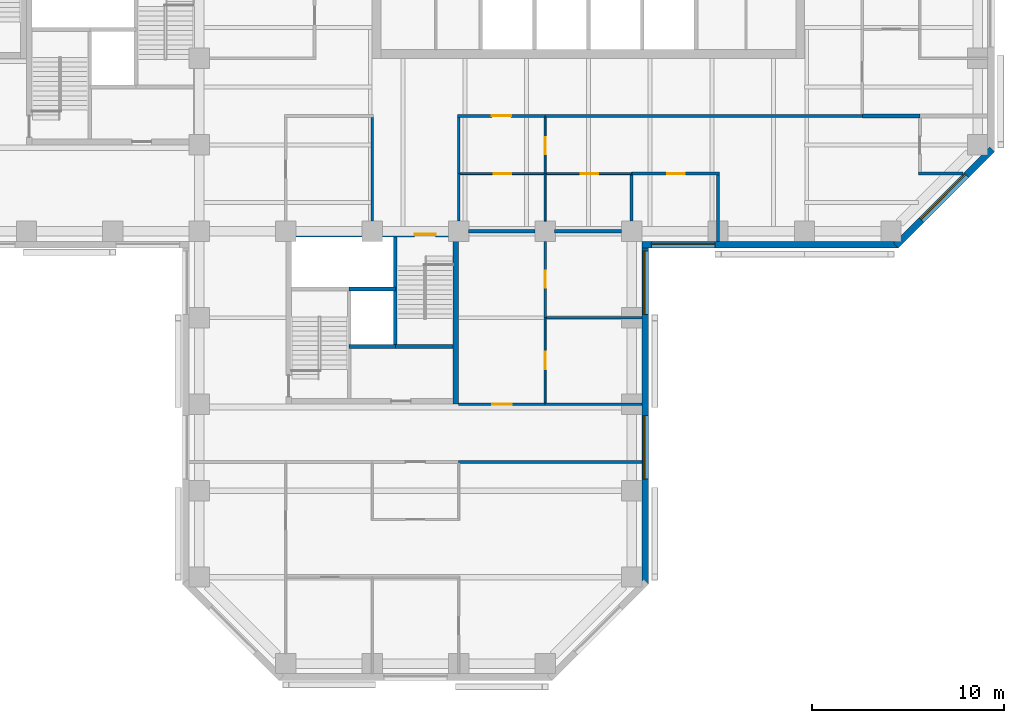
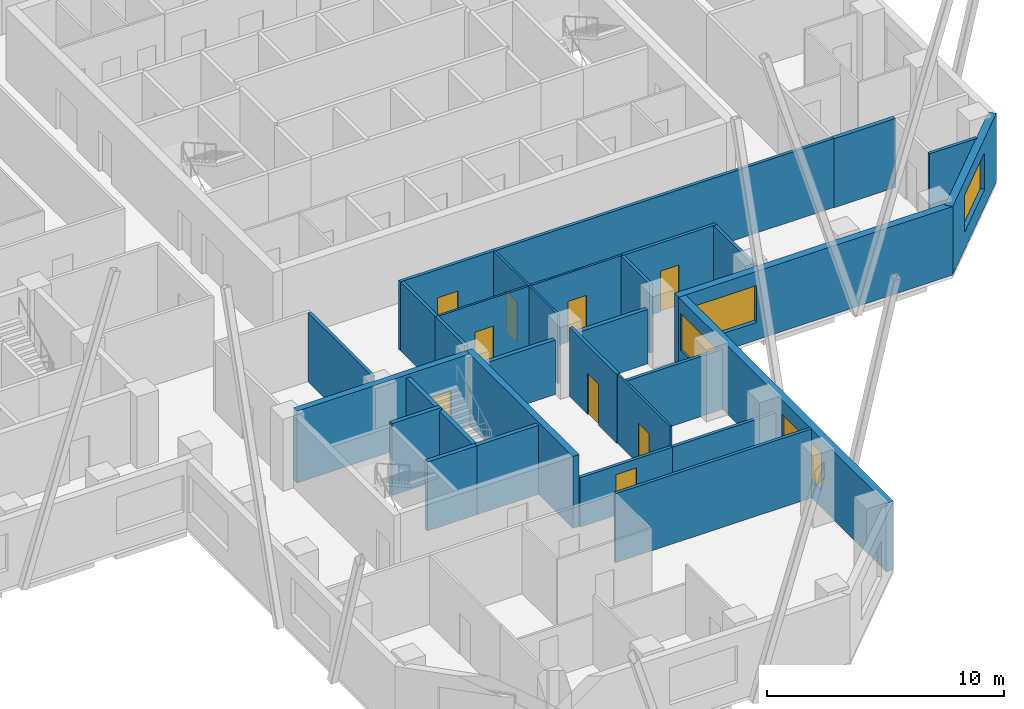
# One storey, part 4 of 11: 31 walls, 9 doors, 4 windows, 13 openings.
"""IFC4 building model written with IfcOpenShell, lengths in metres."""

from ifc_helpers import new_model, si_unit, direction, frame, frame_2d, origin, place, context, subcontext, project, spatial, rectangle, extrude, material, layer, layer_set, constituent, constituent_set, type_object, element, fill, save


model = new_model("IFC4")

# Units and contexts
model_context = context("Model", 3, precision=1e-05, world=origin(), true_north=direction((0.0, 1.0)))
body_context = subcontext(model_context, "Body", "Model", "MODEL_VIEW")
ifc_project = project(units=[si_unit("LENGTHUNIT", "METRE"), si_unit("AREAUNIT", "SQUARE_METRE"), si_unit("VOLUMEUNIT", "CUBIC_METRE"), si_unit("PLANEANGLEUNIT", "RADIAN"), si_unit("MASSUNIT", "GRAM", prefix="KILO")], contexts=[model_context])

# Site, building, storey
site_placement = place(None, origin())
site = spatial("IfcSite", under=ifc_project, at=site_placement, CompositionType="ELEMENT")
building_placement = place(site_placement, origin())
building = spatial("IfcBuilding", under=site, at=building_placement, Name="Quoin Convention Tower", CompositionType="ELEMENT")
storey_placement = place(building_placement, frame((0.0, 0.0, 112.199951171875)))
storey = spatial("IfcBuildingStorey", under=building, at=storey_placement, Name="L29", CompositionType="ELEMENT", Elevation=112.199951171875)

# Wall, opening, door
ifc_material_1 = material(Name="Plasterboard")
ifc_layer_1 = layer(ifc_material_1, 0.012451171875, Name="Finish")
ifc_material_2 = material(Name="Steel stud framing", Category="steel")
ifc_layer_2 = layer(ifc_material_2, 0.125, Name="Structure")
ifc_layer_3 = layer(ifc_material_1, 0.012451171875, Name="Finish")
ifc_layer_set_1 = layer_set([ifc_layer_1, ifc_layer_2, ifc_layer_3], Name="Steel stud framing")
wall_type_1 = type_object("IfcWallType", Name="Acoustic partition 150", PredefinedType="PARTITIONING", material=ifc_layer_set_1)
wall_1_placement = place(storey_placement, frame((58.5, 43.5, 0.0), z_axis=(0.0, 0.0, 1.0), x_axis=(1.0, 0.0, 0.0)))
wall_1 = element("IfcWall", 1, at=wall_1_placement, inside=storey, type_object=wall_type_1, Name="pw-L29-015", PredefinedType="PARTITIONING", context=body_context, shape_type="SweptSolid", body=[
    extrude(rectangle(XDim=4.574951171875, YDim=0.14990234375, at=frame_2d((2.28759765625, 0.0))), origin(), (0.0, 0.0, 1.0), 3.550048828125),
])
opening_1_placement = place(wall_1_placement, frame((1.85009765625, 0.0, 0.0)))
opening_1 = element("IfcOpeningElement", 2, at=opening_1_placement, cuts=wall_1, Name="Opening DOL5-07", PredefinedType="OPENING", context=body_context, shape_type="SweptSolid", body=[
    extrude(rectangle(XDim=0.89990234375, YDim=2.10009765625, at=frame_2d((0.449951171875, 1.050048828125))), frame((0.0, 0.0849609375, 0.0), z_axis=(0.0, -1.0, 0.0), x_axis=(1.0, 0.0, 0.0)), (0.0, 0.0, 1.0), 0.169921875),
])
ifc_material_3 = material(Name="Steel door leaf", Category="steel")
door_type_1 = type_object("IfcDoorType", Name="Office door 900 x 2100", OperationType="SINGLE_SWING_RIGHT", PredefinedType="DOOR", material=ifc_material_3)
door_1_placement = place(opening_1_placement, origin())
door_1 = element("IfcDoor", 3, at=door_1_placement, inside=storey, type_object=door_type_1, Name="dr-L29-27", OperationType="SINGLE_SWING_RIGHT", OverallHeight=2.10009765625, OverallWidth=0.89990234375, PredefinedType="DOOR", context=body_context, shape_type="SweptSolid", body=[
    extrude(rectangle(XDim=0.89990234375, YDim=2.10009765625, at=frame_2d((0.449951171875, 1.050048828125))), frame((0.0, 0.02490234375, 0.0), z_axis=(0.0, -1.0, 0.0), x_axis=(1.0, 0.0, 0.0)), (0.0, 0.0, 1.0), 0.050048828125),
])
fill(opening_1, door_1)

wall_2_placement = place(storey_placement, frame((54.0, 36.0, 0.0), z_axis=(0.0, 0.0, 1.0), x_axis=(0.0, 1.0, 0.0)))
wall_2 = element("IfcWall", 4, at=wall_2_placement, inside=storey, type_object=wall_type_1, Name="pw-L29-070", PredefinedType="PARTITIONING", context=body_context, shape_type="SweptSolid", body=[
    extrude(rectangle(XDim=3.97509765625, YDim=0.14990234375, at=frame_2d((1.987548828125, 0.0))), origin(), (0.0, 0.0, 1.0), 3.550048828125),
])
opening_2_placement = place(wall_2_placement, frame((1.550048828125, 0.0, 0.0)))
opening_2 = element("IfcOpeningElement", 5, at=opening_2_placement, cuts=wall_2, Name="Opening DOL5-27", PredefinedType="OPENING", context=body_context, shape_type="SweptSolid", body=[
    extrude(rectangle(XDim=0.89990234375, YDim=2.10009765625, at=frame_2d((0.449951171875, 1.050048828125))), frame((0.0, 0.0849609375, 0.0), z_axis=(0.0, -1.0, 0.0), x_axis=(1.0, 0.0, 0.0)), (0.0, 0.0, 1.0), 0.169921875),
])
door_2_placement = place(opening_2_placement, origin())
door_2 = element("IfcDoor", 6, at=door_2_placement, inside=storey, type_object=door_type_1, Name="dr-L29-21", OperationType="SINGLE_SWING_RIGHT", OverallHeight=2.10009765625, OverallWidth=0.89990234375, PredefinedType="DOOR", context=body_context, shape_type="SweptSolid", body=[
    extrude(rectangle(XDim=0.89990234375, YDim=2.10009765625, at=frame_2d((0.449951171875, 1.050048828125))), frame((0.0, 0.02490234375, 0.0), z_axis=(0.0, -1.0, 0.0), x_axis=(1.0, 0.0, 0.0)), (0.0, 0.0, 1.0), 0.050048828125),
])
fill(opening_2, door_2)

# Walls
wall_3_placement = place(storey_placement, frame((63.0, 39.97509765625, 0.0), z_axis=(0.0, 0.0, 1.0), x_axis=(0.0, 1.0, 0.0)))
element("IfcWall", 7, at=wall_3_placement, inside=storey, type_object=wall_type_1, Name="pw-L29-072", PredefinedType="PARTITIONING", context=body_context, shape_type="SweptSolid", body=[
    extrude(rectangle(XDim=3.449951171875, YDim=0.14990234375, at=frame_2d((1.72509765625, 0.0))), origin(), (0.0, 0.0, 1.0), 3.550048828125),
])
wall_4_placement = place(storey_placement, frame((58.5, 41.02490234375, 0.0), z_axis=(0.0, 0.0, 1.0), x_axis=(0.0, 1.0, 0.0)))
element("IfcWall", 8, at=wall_4_placement, inside=storey, type_object=wall_type_1, Name="pw-L29-077", PredefinedType="PARTITIONING", context=body_context, shape_type="SweptSolid", body=[
    extrude(rectangle(XDim=2.400146484375, YDim=0.14990234375, at=frame_2d((1.2001953125, 0.0))), origin(), (0.0, 0.0, 1.0), 3.550048828125),
])
ifc_layer_4 = layer(ifc_material_1, 0.012451171875, Name="Finish")
ifc_layer_5 = layer(ifc_material_2, 0.125, Name="Structure")
ifc_layer_6 = layer(ifc_material_1, 0.012451171875, Name="Finish")
ifc_layer_set_2 = layer_set([ifc_layer_4, ifc_layer_5, ifc_layer_6], Name="Steel stud framing")
wall_type_2 = type_object("IfcWallType", Name="Acoustic partition 150 under beam 454", PredefinedType="PARTITIONING", material=ifc_layer_set_2)
wall_5_placement = place(storey_placement, frame((54.074951171875, 36.0, 0.0), z_axis=(0.0, 0.0, 1.0), x_axis=(1.0, 0.0, 0.0)))
element("IfcWall", 9, at=wall_5_placement, inside=storey, type_object=wall_type_2, Name="pw-L29-010", PredefinedType="PARTITIONING", context=body_context, shape_type="SweptSolid", body=[
    extrude(rectangle(XDim=4.949951171875, YDim=0.14990234375, at=frame_2d((2.47509765625, 0.0))), origin(), (0.0, 0.0, 1.0), 3.095947265625),
])

# Wall, opening, window
ifc_material_4 = material(Name="Brick masonry", Category="masonry")
ifc_layer_7 = layer(ifc_material_4, 0.35009765625)
ifc_layer_set_3 = layer_set([ifc_layer_7], Name="Brick masonry")
wall_type_3 = type_object("IfcWallType", Name="Brick facade wall", PredefinedType="STANDARD", material=ifc_layer_set_3)
wall_6_placement = place(storey_placement, frame((59.02490234375, 39.800048828125, 0.0), z_axis=(0.0, 0.0, 1.0), x_axis=(1.0, 0.0, 0.0)))
wall_6 = element("IfcWall", 10, at=wall_6_placement, inside=storey, type_object=wall_type_3, Name="fw-L29-58500_40500", PredefinedType="STANDARD", context=body_context, shape_type="SweptSolid", body=[
    extrude(rectangle(XDim=13.33740234375, YDim=0.35009765625, at=frame_2d((6.668701171875, 0.0))), origin(), (0.0, 0.0, 1.0), 3.525146484375),
])
opening_3_placement = place(wall_6_placement, frame((0.5, 0.0, 0.89990234375)))
opening_3 = element("IfcOpeningElement", 11, at=opening_3_placement, cuts=wall_6, Name="Opening W-02", PredefinedType="OPENING", context=body_context, shape_type="SweptSolid", body=[
    extrude(rectangle(XDim=3.300048828125, YDim=1.89990234375, at=frame_2d((1.64990234375, 0.949951171875))), frame((0.0, 0.18505859375, 0.0), z_axis=(0.0, -1.0, 0.0), x_axis=(1.0, 0.0, 0.0)), (0.0, 0.0, 1.0), 0.3701171875),
])
ifc_material_5 = material(Name="Aluminium", Category="aluminium")
ifc_constituent_1 = constituent(ifc_material_5, Name="Frame")
ifc_material_6 = material(Name="Insulated glass", Category="glass")
ifc_constituent_2 = constituent(ifc_material_6, Name="Glazing")
ifc_constituent_set = constituent_set(constituents=[ifc_constituent_1, ifc_constituent_2], Name="Aluminium")
window_type = type_object("IfcWindowType", Name="Office window", PartitioningType="DOUBLE_PANEL_VERTICAL", PredefinedType="WINDOW", material=ifc_constituent_set)
window_1_placement = place(opening_3_placement, origin())
window_1 = element("IfcWindow", 12, at=window_1_placement, inside=storey, type_object=window_type, Name="win-L29-60750_39800", OverallHeight=1.89990234375, OverallWidth=3.300048828125, PartitioningType="SINGLE_PANEL", PredefinedType="WINDOW", context=body_context, shape_type="SweptSolid", body=[
    extrude(rectangle(XDim=3.300048828125, YDim=1.89990234375, at=frame_2d((1.64990234375, 0.949951171875))), frame((0.0, 0.0849609375, 0.0), z_axis=(0.0, -1.0, 0.0), x_axis=(1.0, 0.0, 0.0)), (0.0, 0.0, 1.0), 0.06005859375),
])
fill(opening_3, window_1)

wall_7_placement = place(storey_placement, frame((72.23876953125, 39.748779296875, 0.0), z_axis=(0.0, 0.0, 1.0), x_axis=(0.707106781187, 0.707106781187, 0.0)))
wall_7 = element("IfcWall", 13, at=wall_7_placement, inside=storey, type_object=wall_type_3, Name="fw-L29-72000_40500", PredefinedType="STANDARD", context=body_context, shape_type="SweptSolid", body=[
    extrude(rectangle(XDim=7.088623046875, YDim=0.35009765625, at=frame_2d((3.54443359375, 0.0))), origin(), (0.0, 0.0, 1.0), 3.525146484375),
])
opening_4_placement = place(wall_7_placement, frame((1.894287109375, 0.0, 0.89990234375)))
opening_4 = element("IfcOpeningElement", 14, at=opening_4_placement, cuts=wall_7, Name="Opening W-02", PredefinedType="OPENING", context=body_context, shape_type="SweptSolid", body=[
    extrude(rectangle(XDim=3.300048828125, YDim=1.89990234375, at=frame_2d((1.64990234375, 0.949951171875))), frame((0.0, 0.18505859375, 0.0), z_axis=(0.0, -1.0, 0.0), x_axis=(1.0, 0.0, 0.0)), (0.0, 0.0, 1.0), 0.3701171875),
])
window_2_placement = place(opening_4_placement, origin())
window_2 = element("IfcWindow", 15, at=window_2_placement, inside=storey, type_object=window_type, Name="win-L29-74745_42255", OverallHeight=1.89990234375, OverallWidth=3.300048828125, PartitioningType="SINGLE_PANEL", PredefinedType="WINDOW", context=body_context, shape_type="SweptSolid", body=[
    extrude(rectangle(XDim=3.300048828125, YDim=1.89990234375, at=frame_2d((1.64990234375, 0.949951171875))), frame((0.0, 0.0849609375, 0.0), z_axis=(0.0, -1.0, 0.0), x_axis=(1.0, 0.0, 0.0)), (0.0, 0.0, 1.0), 0.06005859375),
])
fill(opening_4, window_2)

# Wall, openings, windows
wall_8_placement = place(storey_placement, frame((59.199951171875, 22.1376953125, 0.0), z_axis=(0.0, 0.0, 1.0), x_axis=(0.0, 1.0, 0.0)))
wall_8 = element("IfcWall", 16, at=wall_8_placement, inside=storey, type_object=wall_type_3, Name="fw-L29-58500_22500", PredefinedType="STANDARD", context=body_context, shape_type="SweptSolid", body=[
    extrude(rectangle(XDim=17.83740234375, YDim=0.35009765625, at=frame_2d((8.918701171875, 0.0))), origin(), (0.0, 0.0, 1.0), 3.525146484375),
])
opening_5_placement = place(wall_8_placement, frame((5.46240234375, 0.0, 0.89990234375)))
opening_5 = element("IfcOpeningElement", 17, at=opening_5_placement, cuts=wall_8, Name="Opening W-02", PredefinedType="OPENING", context=body_context, shape_type="SweptSolid", body=[
    extrude(rectangle(XDim=3.300048828125, YDim=1.89990234375, at=frame_2d((1.64990234375, 0.949951171875))), frame((0.0, 0.18505859375, 0.0), z_axis=(0.0, -1.0, 0.0), x_axis=(1.0, 0.0, 0.0)), (0.0, 0.0, 1.0), 0.3701171875),
])
opening_6_placement = place(wall_8_placement, frame((14.037353515625, 0.0, 0.89990234375)))
opening_6 = element("IfcOpeningElement", 18, at=opening_6_placement, cuts=wall_8, Name="Opening W-02", PredefinedType="OPENING", context=body_context, shape_type="SweptSolid", body=[
    extrude(rectangle(XDim=3.300048828125, YDim=1.89990234375, at=frame_2d((1.64990234375, 0.949951171875))), frame((0.0, 0.18505859375, 0.0), z_axis=(0.0, -1.0, 0.0), x_axis=(1.0, 0.0, 0.0)), (0.0, 0.0, 1.0), 0.3701171875),
])
window_3_placement = place(opening_5_placement, origin())
window_3 = element("IfcWindow", 19, at=window_3_placement, inside=storey, type_object=window_type, Name="win-L29-59200_29250", OverallHeight=1.89990234375, OverallWidth=3.300048828125, PartitioningType="SINGLE_PANEL", PredefinedType="WINDOW", context=body_context, shape_type="SweptSolid", body=[
    extrude(rectangle(XDim=3.300048828125, YDim=1.89990234375, at=frame_2d((1.64990234375, 0.949951171875))), frame((0.0, 0.0849609375, 0.0), z_axis=(0.0, -1.0, 0.0), x_axis=(1.0, 0.0, 0.0)), (0.0, 0.0, 1.0), 0.06005859375),
])
fill(opening_5, window_3)
window_4_placement = place(opening_6_placement, origin())
window_4 = element("IfcWindow", 20, at=window_4_placement, inside=storey, type_object=window_type, Name="win-L29-59200_38250", OverallHeight=1.89990234375, OverallWidth=3.300048828125, PartitioningType="SINGLE_PANEL", PredefinedType="WINDOW", context=body_context, shape_type="SweptSolid", body=[
    extrude(rectangle(XDim=3.300048828125, YDim=1.89990234375, at=frame_2d((1.64990234375, 0.949951171875))), frame((0.0, 0.0849609375, 0.0), z_axis=(0.0, -1.0, 0.0), x_axis=(1.0, 0.0, 0.0)), (0.0, 0.0, 1.0), 0.06005859375),
])
fill(opening_6, window_4)

# Walls
ifc_material_7 = material(Name="Concrete C50", Category="concrete")
ifc_layer_8 = layer(ifc_material_7, 0.199951171875)
ifc_layer_set_4 = layer_set([ifc_layer_8], Name="Concrete C50")
wall_type_4 = type_object("IfcWallType", Name="Core shaft wall", PredefinedType="SOLIDWALL", material=ifc_layer_set_4)
wall_9_placement = place(storey_placement, frame((43.800048828125, 34.5, 0.0), z_axis=(0.0, 0.0, 1.0), x_axis=(1.0, 0.0, 0.0)))
element("IfcWall", 21, at=wall_9_placement, inside=storey, type_object=wall_type_4, Name="cr-P3-L29-h3000_3300", PredefinedType="SOLIDWALL", context=body_context, shape_type="SweptSolid", body=[
    extrude(rectangle(XDim=2.39990234375, YDim=0.199951171875, at=frame_2d((1.199951171875, 0.0))), origin(), (0.0, 0.0, 1.0), 3.550048828125),
])
wall_10_placement = place(storey_placement, frame((46.199951171875, 34.5, 0.0), z_axis=(0.0, 0.0, 1.0), x_axis=(1.0, 0.0, 0.0)))
element("IfcWall", 22, at=wall_10_placement, inside=storey, type_object=wall_type_4, Name="cr-P3-L29-h3000_5700", PredefinedType="SOLIDWALL", context=body_context, shape_type="SweptSolid", body=[
    extrude(rectangle(XDim=3.0, YDim=0.199951171875, at=frame_2d((1.5, 0.0))), origin(), (0.0, 0.0, 1.0), 3.550048828125),
])
wall_11_placement = place(storey_placement, frame((46.199951171875, 34.5, 0.0), z_axis=(0.0, 0.0, 1.0), x_axis=(0.0, 1.0, 0.0)))
element("IfcWall", 23, at=wall_11_placement, inside=storey, type_object=wall_type_4, Name="cr-P3-L29-v5700_3000", PredefinedType="SOLIDWALL", context=body_context, shape_type="SweptSolid", body=[
    extrude(rectangle(XDim=5.699951171875, YDim=0.199951171875, at=frame_2d((2.85009765625, 0.0))), origin(), (0.0, 0.0, 1.0), 3.550048828125),
])
ifc_layer_9 = layer(ifc_material_7, 0.199951171875)
ifc_layer_set_5 = layer_set([ifc_layer_9], Name="Concrete C50")
wall_type_5 = type_object("IfcWallType", Name="Core shaft wall to the floor level over", PredefinedType="SOLIDWALL", material=ifc_layer_set_5)
wall_12_placement = place(storey_placement, frame((43.800048828125, 37.5, 0.0), z_axis=(0.0, 0.0, 1.0), x_axis=(1.0, 0.0, 0.0)))
element("IfcWall", 24, at=wall_12_placement, inside=storey, type_object=wall_type_5, Name="cr-P3-L29-h6000_3300", PredefinedType="SOLIDWALL", context=body_context, shape_type="SweptSolid", body=[
    extrude(rectangle(XDim=2.39990234375, YDim=0.199951171875, at=frame_2d((1.199951171875, 0.0))), origin(), (0.0, 0.0, 1.0), 3.699951171875),
])
ifc_layer_10 = layer(ifc_material_1, 0.012451171875, Name="Finish")
ifc_layer_11 = layer(ifc_material_2, 0.125, Name="Structure")
ifc_layer_12 = layer(ifc_material_1, 0.012451171875, Name="Finish")
ifc_layer_set_6 = layer_set([ifc_layer_10, ifc_layer_11, ifc_layer_12], Name="Steel stud framing")
wall_type_6 = type_object("IfcWallType", Name="Corridor wall 150", PredefinedType="PARTITIONING", material=ifc_layer_set_6)
wall_13_placement = place(storey_placement, frame((49.5, 28.5, 0.0), z_axis=(0.0, 0.0, 1.0), x_axis=(1.0, 0.0, 0.0)))
element("IfcWall", 25, at=wall_13_placement, inside=storey, type_object=wall_type_6, Name="pw-L29-007", PredefinedType="PARTITIONING", context=body_context, shape_type="SweptSolid", body=[
    extrude(rectangle(XDim=9.52490234375, YDim=0.14990234375, at=frame_2d((4.762451171875, 0.0))), origin(), (0.0, 0.0, 1.0), 3.550048828125),
])

# Wall, opening, door
wall_14_placement = place(storey_placement, frame((49.425048828125, 46.5, 0.0), z_axis=(0.0, 0.0, 1.0), x_axis=(1.0, 0.0, 0.0)))
wall_14 = element("IfcWall", 26, at=wall_14_placement, inside=storey, type_object=wall_type_6, Name="pw-L29-021", PredefinedType="PARTITIONING", context=body_context, shape_type="SweptSolid", body=[
    extrude(rectangle(XDim=4.574951171875, YDim=0.14990234375, at=frame_2d((2.28759765625, 0.0))), origin(), (0.0, 0.0, 1.0), 3.550048828125),
])
opening_7_placement = place(wall_14_placement, frame((1.800048828125, 0.0, 0.0)))
opening_7 = element("IfcOpeningElement", 27, at=opening_7_placement, cuts=wall_14, Name="Opening DOL5-08", PredefinedType="OPENING", context=body_context, shape_type="SweptSolid", body=[
    extrude(rectangle(XDim=1.0, YDim=2.10009765625, at=frame_2d((0.5, 1.050048828125))), frame((0.0, 0.0849609375, 0.0), z_axis=(0.0, -1.0, 0.0), x_axis=(1.0, 0.0, 0.0)), (0.0, 0.0, 1.0), 0.169921875),
])
door_type_2 = type_object("IfcDoorType", Name="Tenancy entrance door 1000 x 2100", OperationType="DOUBLE_DOOR_SINGLE_SWING", PredefinedType="DOOR", material=ifc_material_3)
door_3_placement = place(opening_7_placement, frame((1.0, 0.0, 0.0), z_axis=(0.0, 0.0, 1.0), x_axis=(-1.0, 0.0, 0.0)))
door_3 = element("IfcDoor", 28, at=door_3_placement, inside=storey, type_object=door_type_2, Name="dr-L29-22", OperationType="DOUBLE_DOOR_SINGLE_SWING", OverallHeight=2.10009765625, OverallWidth=1.0, PredefinedType="DOOR", context=body_context, shape_type="SweptSolid", body=[
    extrude(rectangle(XDim=1.0, YDim=2.10009765625, at=frame_2d((0.5, 1.050048828125))), frame((0.0, 0.02490234375, 0.0), z_axis=(0.0, -1.0, 0.0), x_axis=(1.0, 0.0, 0.0)), (0.0, 0.0, 1.0), 0.050048828125),
])
fill(opening_7, door_3)

# Walls
wall_15_placement = place(storey_placement, frame((54.0, 46.5, 0.0), z_axis=(0.0, 0.0, 1.0), x_axis=(1.0, 0.0, 0.0)))
element("IfcWall", 29, at=wall_15_placement, inside=storey, type_object=wall_type_6, Name="pw-L29-022", PredefinedType="PARTITIONING", context=body_context, shape_type="SweptSolid", body=[
    extrude(rectangle(XDim=16.5, YDim=0.14990234375, at=frame_2d((8.25, 0.0))), origin(), (0.0, 0.0, 1.0), 3.550048828125),
])
wall_16_placement = place(storey_placement, frame((45.0, 41.02490234375, 0.0), z_axis=(0.0, 0.0, 1.0), x_axis=(0.0, 1.0, 0.0)))
element("IfcWall", 30, at=wall_16_placement, inside=storey, type_object=wall_type_6, Name="pw-L29-074", PredefinedType="PARTITIONING", context=body_context, shape_type="SweptSolid", body=[
    extrude(rectangle(XDim=5.400146484375, YDim=0.14990234375, at=frame_2d((2.7001953125, 0.0))), origin(), (0.0, 0.0, 1.0), 3.550048828125),
])
wall_17_placement = place(storey_placement, frame((49.5, 41.02490234375, 0.0), z_axis=(0.0, 0.0, 1.0), x_axis=(0.0, 1.0, 0.0)))
element("IfcWall", 31, at=wall_17_placement, inside=storey, type_object=wall_type_6, Name="pw-L29-075", PredefinedType="PARTITIONING", context=body_context, shape_type="SweptSolid", body=[
    extrude(rectangle(XDim=2.47509765625, YDim=0.14990234375, at=frame_2d((1.237548828125, 0.0))), origin(), (0.0, 0.0, 1.0), 3.550048828125),
])
wall_18_placement = place(storey_placement, frame((49.5, 43.5, 0.0), z_axis=(0.0, 0.0, 1.0), x_axis=(0.0, 1.0, 0.0)))
element("IfcWall", 32, at=wall_18_placement, inside=storey, type_object=wall_type_6, Name="pw-L29-078", PredefinedType="PARTITIONING", context=body_context, shape_type="SweptSolid", body=[
    extrude(rectangle(XDim=2.925048828125, YDim=0.14990234375, at=frame_2d((1.46240234375, 0.0))), origin(), (0.0, 0.0, 1.0), 3.550048828125),
])

# Wall, opening, door
ifc_layer_13 = layer(ifc_material_1, 0.012451171875, Name="Finish")
ifc_layer_14 = layer(ifc_material_2, 0.125, Name="Structure")
ifc_layer_15 = layer(ifc_material_1, 0.012451171875, Name="Finish")
ifc_layer_set_7 = layer_set([ifc_layer_13, ifc_layer_14, ifc_layer_15], Name="Steel stud framing")
wall_type_7 = type_object("IfcWallType", Name="Corridor wall 150 under beam 1000", PredefinedType="PARTITIONING", material=ifc_layer_set_7)
wall_19_placement = place(storey_placement, frame((49.5, 31.5, 0.0), z_axis=(0.0, 0.0, 1.0), x_axis=(1.0, 0.0, 0.0)))
wall_19 = element("IfcWall", 33, at=wall_19_placement, inside=storey, type_object=wall_type_7, Name="pw-L29-008", PredefinedType="PARTITIONING", context=body_context, shape_type="SweptSolid", body=[
    extrude(rectangle(XDim=4.5, YDim=0.14990234375, at=frame_2d((2.25, 0.0))), origin(), (0.0, 0.0, 1.0), 2.550048828125),
])
opening_8_placement = place(wall_19_placement, frame((1.75, 0.0, 0.0)))
opening_8 = element("IfcOpeningElement", 34, at=opening_8_placement, cuts=wall_19, Name="Opening DOL5-04", PredefinedType="OPENING", context=body_context, shape_type="SweptSolid", body=[
    extrude(rectangle(XDim=1.0, YDim=2.10009765625, at=frame_2d((0.5, 1.050048828125))), frame((0.0, 0.0849609375, 0.0), z_axis=(0.0, -1.0, 0.0), x_axis=(1.0, 0.0, 0.0)), (0.0, 0.0, 1.0), 0.169921875),
])
door_4_placement = place(opening_8_placement, origin())
door_4 = element("IfcDoor", 35, at=door_4_placement, inside=storey, type_object=door_type_2, Name="dr-L29-19", OperationType="DOUBLE_DOOR_SINGLE_SWING", OverallHeight=2.10009765625, OverallWidth=1.0, PredefinedType="DOOR", context=body_context, shape_type="SweptSolid", body=[
    extrude(rectangle(XDim=1.0, YDim=2.10009765625, at=frame_2d((0.5, 1.050048828125))), frame((0.0, 0.02490234375, 0.0), z_axis=(0.0, -1.0, 0.0), x_axis=(1.0, 0.0, 0.0)), (0.0, 0.0, 1.0), 0.050048828125),
])
fill(opening_8, door_4)

# Wall
wall_20_placement = place(storey_placement, frame((54.0, 31.5, 0.0), z_axis=(0.0, 0.0, 1.0), x_axis=(1.0, 0.0, 0.0)))
element("IfcWall", 36, at=wall_20_placement, inside=storey, type_object=wall_type_7, Name="pw-L29-009", PredefinedType="PARTITIONING", context=body_context, shape_type="SweptSolid", body=[
    extrude(rectangle(XDim=5.02490234375, YDim=0.14990234375, at=frame_2d((2.512451171875, 0.0))), origin(), (0.0, 0.0, 1.0), 2.550048828125),
])

# Wall, opening, door
ifc_material_8 = material(Name="Concrete C65", Category="concrete")
ifc_layer_16 = layer(ifc_material_8, 0.300048828125)
ifc_layer_set_8 = layer_set([ifc_layer_16], Name="Concrete C65")
wall_type_8 = type_object("IfcWallType", Name="RC CORE WALL 300 C65", PredefinedType="SHEAR", material=ifc_layer_set_8)
wall_21_placement = place(storey_placement, frame((40.800048828125, 40.35009765625, 0.0), z_axis=(0.0, 0.0, 1.0), x_axis=(1.0, 0.0, 0.0)))
wall_21 = element("IfcWall", 37, at=wall_21_placement, inside=storey, type_object=wall_type_8, Name="cwl-P3-L29-N", PredefinedType="SHEAR", context=body_context, shape_type="SweptSolid", body=[
    extrude(rectangle(XDim=8.39990234375, YDim=0.300048828125, at=frame_2d((4.199951171875, 0.0))), origin(), (0.0, 0.0, 1.0), 3.699951171875),
])
opening_9_placement = place(wall_21_placement, frame((6.39990234375, 0.0, 0.0)))
opening_9 = element("IfcOpeningElement", 38, at=opening_9_placement, cuts=wall_21, Name="Opening SD6", PredefinedType="OPENING", context=body_context, shape_type="SweptSolid", body=[
    extrude(rectangle(XDim=1.10009765625, YDim=2.10009765625, at=frame_2d((0.550048828125, 1.050048828125))), frame((0.0, 0.159912109375, 0.0), z_axis=(0.0, -1.0, 0.0), x_axis=(1.0, 0.0, 0.0)), (0.0, 0.0, 1.0), 0.320068359375),
])
door_type_3 = type_object("IfcDoorType", Name="Stair door 1100 x 2100", OperationType="SINGLE_SWING_RIGHT", PredefinedType="DOOR", material=ifc_material_3)
door_5_placement = place(opening_9_placement, frame((1.10009765625, 0.0, 0.0), z_axis=(0.0, 0.0, 1.0), x_axis=(-1.0, 0.0, 0.0)))
door_5 = element("IfcDoor", 39, at=door_5_placement, inside=storey, type_object=door_type_3, Name="cd-P3-L29-SB-N", OperationType="SINGLE_SWING_LEFT", OverallHeight=2.10009765625, OverallWidth=1.10009765625, PredefinedType="DOOR", context=body_context, shape_type="SweptSolid", body=[
    extrude(rectangle(XDim=1.10009765625, YDim=2.10009765625, at=frame_2d((0.550048828125, 1.050048828125))), frame((0.0, 0.02490234375, 0.0), z_axis=(0.0, -1.0, 0.0), x_axis=(1.0, 0.0, 0.0)), (0.0, 0.0, 1.0), 0.050048828125),
])
fill(opening_9, door_5)

# Wall
wall_22_placement = place(storey_placement, frame((49.35009765625, 31.5, 0.0), z_axis=(0.0, 0.0, 1.0), x_axis=(0.0, 1.0, 0.0)))
element("IfcWall", 40, at=wall_22_placement, inside=storey, type_object=wall_type_8, Name="cwl-P3-L29-E", PredefinedType="SHEAR", context=body_context, shape_type="SweptSolid", body=[
    extrude(rectangle(XDim=9.0, YDim=0.300048828125, at=frame_2d((4.5, 0.0))), origin(), (0.0, 0.0, 1.0), 3.699951171875),
])

# Wall, opening, door
ifc_layer_17 = layer(ifc_material_1, 0.012451171875, Name="Finish")
ifc_layer_18 = layer(ifc_material_2, 0.074951171875, Name="Structure")
ifc_layer_19 = layer(ifc_material_1, 0.012451171875, Name="Finish")
ifc_layer_set_9 = layer_set([ifc_layer_17, ifc_layer_18, ifc_layer_19], Name="Steel stud framing")
wall_type_9 = type_object("IfcWallType", Name="Stud partition 100", PredefinedType="PARTITIONING", material=ifc_layer_set_9)
wall_23_placement = place(storey_placement, frame((49.574951171875, 43.5, 0.0), z_axis=(0.0, 0.0, 1.0), x_axis=(1.0, 0.0, 0.0)))
wall_23 = element("IfcWall", 41, at=wall_23_placement, inside=storey, type_object=wall_type_9, Name="pw-L29-013", PredefinedType="PARTITIONING", context=body_context, shape_type="SweptSolid", body=[
    extrude(rectangle(XDim=4.375, YDim=0.10009765625, at=frame_2d((2.1875, 0.0))), origin(), (0.0, 0.0, 1.0), 3.550048828125),
])
opening_10_placement = place(wall_23_placement, frame((1.75, 0.0, 0.0)))
opening_10 = element("IfcOpeningElement", 42, at=opening_10_placement, cuts=wall_23, Name="Opening DOL5-05", PredefinedType="OPENING", context=body_context, shape_type="SweptSolid", body=[
    extrude(rectangle(XDim=0.89990234375, YDim=2.10009765625, at=frame_2d((0.449951171875, 1.050048828125))), frame((0.0, 0.06005859375, 0.0), z_axis=(0.0, -1.0, 0.0), x_axis=(1.0, 0.0, 0.0)), (0.0, 0.0, 1.0), 0.1201171875),
])
door_6_placement = place(opening_10_placement, origin())
door_6 = element("IfcDoor", 43, at=door_6_placement, inside=storey, type_object=door_type_1, Name="dr-L29-24", OperationType="SINGLE_SWING_RIGHT", OverallHeight=2.10009765625, OverallWidth=0.89990234375, PredefinedType="DOOR", context=body_context, shape_type="SweptSolid", body=[
    extrude(rectangle(XDim=0.89990234375, YDim=2.10009765625, at=frame_2d((0.449951171875, 1.050048828125))), frame((0.0, 0.02490234375, 0.0), z_axis=(0.0, -1.0, 0.0), x_axis=(1.0, 0.0, 0.0)), (0.0, 0.0, 1.0), 0.050048828125),
])
fill(opening_10, door_6)

wall_24_placement = place(storey_placement, frame((54.050048828125, 43.5, 0.0), z_axis=(0.0, 0.0, 1.0), x_axis=(1.0, 0.0, 0.0)))
wall_24 = element("IfcWall", 44, at=wall_24_placement, inside=storey, type_object=wall_type_9, Name="pw-L29-014", PredefinedType="PARTITIONING", context=body_context, shape_type="SweptSolid", body=[
    extrude(rectangle(XDim=4.449951171875, YDim=0.10009765625, at=frame_2d((2.22509765625, 0.0))), origin(), (0.0, 0.0, 1.0), 3.550048828125),
])
opening_11_placement = place(wall_24_placement, frame((1.800048828125, 0.0, 0.0)))
opening_11 = element("IfcOpeningElement", 45, at=opening_11_placement, cuts=wall_24, Name="Opening DOL5-06", PredefinedType="OPENING", context=body_context, shape_type="SweptSolid", body=[
    extrude(rectangle(XDim=0.89990234375, YDim=2.10009765625, at=frame_2d((0.449951171875, 1.050048828125))), frame((0.0, 0.06005859375, 0.0), z_axis=(0.0, -1.0, 0.0), x_axis=(1.0, 0.0, 0.0)), (0.0, 0.0, 1.0), 0.1201171875),
])
door_7_placement = place(opening_11_placement, origin())
door_7 = element("IfcDoor", 46, at=door_7_placement, inside=storey, type_object=door_type_1, Name="dr-L29-25", OperationType="SINGLE_SWING_RIGHT", OverallHeight=2.10009765625, OverallWidth=0.89990234375, PredefinedType="DOOR", context=body_context, shape_type="SweptSolid", body=[
    extrude(rectangle(XDim=0.89990234375, YDim=2.10009765625, at=frame_2d((0.449951171875, 1.050048828125))), frame((0.0, 0.02490234375, 0.0), z_axis=(0.0, -1.0, 0.0), x_axis=(1.0, 0.0, 0.0)), (0.0, 0.0, 1.0), 0.050048828125),
])
fill(opening_11, door_7)

wall_25_placement = place(storey_placement, frame((54.0, 31.574951171875, 0.0), z_axis=(0.0, 0.0, 1.0), x_axis=(0.0, 1.0, 0.0)))
wall_25 = element("IfcWall", 47, at=wall_25_placement, inside=storey, type_object=wall_type_9, Name="pw-L29-069", PredefinedType="PARTITIONING", context=body_context, shape_type="SweptSolid", body=[
    extrude(rectangle(XDim=4.425048828125, YDim=0.10009765625, at=frame_2d((2.21240234375, 0.0))), origin(), (0.0, 0.0, 1.0), 3.550048828125),
])
opening_12_placement = place(wall_25_placement, frame((1.75, 0.0, 0.0)))
opening_12 = element("IfcOpeningElement", 48, at=opening_12_placement, cuts=wall_25, Name="Opening DOL5-26", PredefinedType="OPENING", context=body_context, shape_type="SweptSolid", body=[
    extrude(rectangle(XDim=0.89990234375, YDim=2.10009765625, at=frame_2d((0.449951171875, 1.050048828125))), frame((0.0, 0.06005859375, 0.0), z_axis=(0.0, -1.0, 0.0), x_axis=(1.0, 0.0, 0.0)), (0.0, 0.0, 1.0), 0.1201171875),
])
door_8_placement = place(opening_12_placement, origin())
door_8 = element("IfcDoor", 49, at=door_8_placement, inside=storey, type_object=door_type_1, Name="dr-L29-20", OperationType="SINGLE_SWING_RIGHT", OverallHeight=2.10009765625, OverallWidth=0.89990234375, PredefinedType="DOOR", context=body_context, shape_type="SweptSolid", body=[
    extrude(rectangle(XDim=0.89990234375, YDim=2.10009765625, at=frame_2d((0.449951171875, 1.050048828125))), frame((0.0, 0.02490234375, 0.0), z_axis=(0.0, -1.0, 0.0), x_axis=(1.0, 0.0, 0.0)), (0.0, 0.0, 1.0), 0.050048828125),
])
fill(opening_12, door_8)

# Wall
wall_26_placement = place(storey_placement, frame((54.0, 41.02490234375, 0.0), z_axis=(0.0, 0.0, 1.0), x_axis=(0.0, 1.0, 0.0)))
element("IfcWall", 50, at=wall_26_placement, inside=storey, type_object=wall_type_9, Name="pw-L29-076", PredefinedType="PARTITIONING", context=body_context, shape_type="SweptSolid", body=[
    extrude(rectangle(XDim=2.47509765625, YDim=0.10009765625, at=frame_2d((1.237548828125, 0.0))), origin(), (0.0, 0.0, 1.0), 3.550048828125),
])

# Wall, opening, door
wall_27_placement = place(storey_placement, frame((54.0, 43.5, 0.0), z_axis=(0.0, 0.0, 1.0), x_axis=(0.0, 1.0, 0.0)))
wall_27 = element("IfcWall", 51, at=wall_27_placement, inside=storey, type_object=wall_type_9, Name="pw-L29-079", PredefinedType="PARTITIONING", context=body_context, shape_type="SweptSolid", body=[
    extrude(rectangle(XDim=2.925048828125, YDim=0.10009765625, at=frame_2d((1.46240234375, 0.0))), origin(), (0.0, 0.0, 1.0), 3.550048828125),
])
opening_13_placement = place(wall_27_placement, frame((1.0, 0.0, 0.0)))
opening_13 = element("IfcOpeningElement", 52, at=opening_13_placement, cuts=wall_27, Name="Opening DOL5-29", PredefinedType="OPENING", context=body_context, shape_type="SweptSolid", body=[
    extrude(rectangle(XDim=0.89990234375, YDim=2.10009765625, at=frame_2d((0.449951171875, 1.050048828125))), frame((0.0, 0.06005859375, 0.0), z_axis=(0.0, -1.0, 0.0), x_axis=(1.0, 0.0, 0.0)), (0.0, 0.0, 1.0), 0.1201171875),
])
door_9_placement = place(opening_13_placement, frame((0.89990234375, 0.0, 0.0), z_axis=(0.0, 0.0, 1.0), x_axis=(-1.0, 0.0, 0.0)))
door_9 = element("IfcDoor", 53, at=door_9_placement, inside=storey, type_object=door_type_1, Name="dr-L29-23", OperationType="SINGLE_SWING_RIGHT", OverallHeight=2.10009765625, OverallWidth=0.89990234375, PredefinedType="DOOR", context=body_context, shape_type="SweptSolid", body=[
    extrude(rectangle(XDim=0.89990234375, YDim=2.10009765625, at=frame_2d((0.449951171875, 1.050048828125))), frame((0.0, 0.02490234375, 0.0), z_axis=(0.0, -1.0, 0.0), x_axis=(1.0, 0.0, 0.0)), (0.0, 0.0, 1.0), 0.050048828125),
])
fill(opening_13, door_9)

# Walls
ifc_layer_20 = layer(ifc_material_1, 0.012451171875, Name="Finish")
ifc_layer_21 = layer(ifc_material_2, 0.175048828125, Name="Structure")
ifc_layer_22 = layer(ifc_material_1, 0.012451171875, Name="Finish")
ifc_layer_set_10 = layer_set([ifc_layer_20, ifc_layer_21, ifc_layer_22], Name="Steel stud framing")
wall_type_10 = type_object("IfcWallType", Name="Tenancy demising wall 200", PredefinedType="PARTITIONING", material=ifc_layer_set_10)
wall_28_placement = place(storey_placement, frame((70.5, 46.5, 0.0), z_axis=(0.0, 0.0, 1.0), x_axis=(1.0, 0.0, 0.0)))
element("IfcWall", 54, at=wall_28_placement, inside=storey, type_object=wall_type_10, Name="pw-L29-023", PredefinedType="PARTITIONING", context=body_context, shape_type="SweptSolid", body=[
    extrude(rectangle(XDim=3.0, YDim=0.199951171875, at=frame_2d((1.5, 0.0))), origin(), (0.0, 0.0, 1.0), 3.550048828125),
])
ifc_layer_23 = layer(ifc_material_1, 0.012451171875, Name="Finish")
ifc_layer_24 = layer(ifc_material_2, 0.175048828125, Name="Structure")
ifc_layer_25 = layer(ifc_material_1, 0.012451171875, Name="Finish")
ifc_layer_set_11 = layer_set([ifc_layer_23, ifc_layer_24, ifc_layer_25], Name="Steel stud framing")
wall_type_11 = type_object("IfcWallType", Name="Tenancy demising wall 200 under beam 750", PredefinedType="PARTITIONING", material=ifc_layer_set_11)
wall_29_placement = place(storey_placement, frame((50.014892578125, 40.5, 0.0), z_axis=(0.0, 0.0, 1.0), x_axis=(1.0, 0.0, 0.0)))
element("IfcWall", 55, at=wall_29_placement, inside=storey, type_object=wall_type_11, Name="pw-L29-011", PredefinedType="PARTITIONING", context=body_context, shape_type="SweptSolid", body=[
    extrude(rectangle(XDim=3.460205078125, YDim=0.199951171875, at=frame_2d((1.72998046875, 0.0))), origin(), (0.0, 0.0, 1.0), 2.800048828125),
])
wall_30_placement = place(storey_placement, frame((54.4951171875, 40.5, 0.0), z_axis=(0.0, 0.0, 1.0), x_axis=(1.0, 0.0, 0.0)))
element("IfcWall", 56, at=wall_30_placement, inside=storey, type_object=wall_type_11, Name="pw-L29-012", PredefinedType="PARTITIONING", context=body_context, shape_type="SweptSolid", body=[
    extrude(rectangle(XDim=3.47998046875, YDim=0.199951171875, at=frame_2d((1.739990234375, 0.0))), origin(), (0.0, 0.0, 1.0), 2.800048828125),
])
ifc_layer_26 = layer(ifc_material_1, 0.012451171875, Name="Finish")
ifc_layer_27 = layer(ifc_material_2, 0.125, Name="Structure")
ifc_layer_28 = layer(ifc_material_1, 0.012451171875, Name="Finish")
ifc_layer_set_12 = layer_set([ifc_layer_26, ifc_layer_27, ifc_layer_28], Name="Steel stud framing")
wall_type_12 = type_object("IfcWallType", Name="Wet area partition 150", PredefinedType="PARTITIONING", material=ifc_layer_set_12)
wall_31_placement = place(storey_placement, frame((73.425048828125, 43.5, 0.0), z_axis=(0.0, 0.0, 1.0), x_axis=(1.0, 0.0, 0.0)))
element("IfcWall", 57, at=wall_31_placement, inside=storey, type_object=wall_type_12, Name="pw-L29-016", PredefinedType="PARTITIONING", context=body_context, shape_type="SweptSolid", body=[
    extrude(rectangle(XDim=2.3173828125, YDim=0.14990234375, at=frame_2d((1.15869140625, 0.0))), origin(), (0.0, 0.0, 1.0), 3.550048828125),
])

save(model, "model.ifc")
